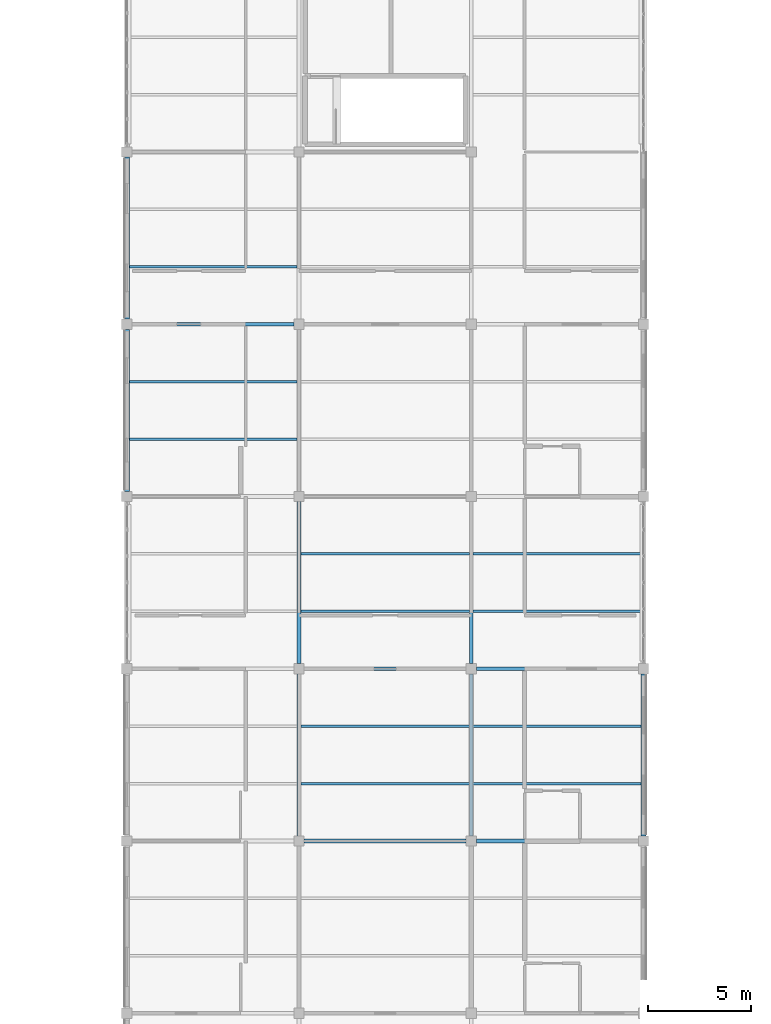
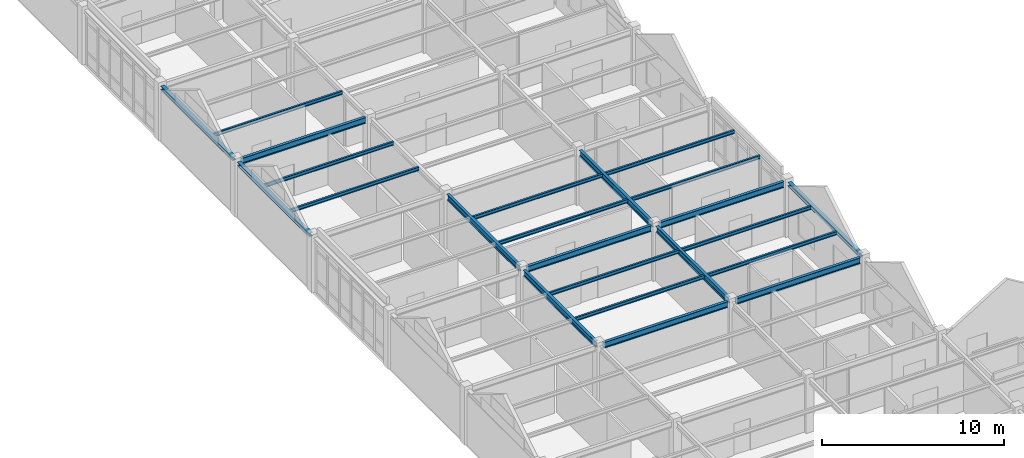
# One storey, part 5 of 45: 23 beams.
"""IFC4 building model written with IfcOpenShell, lengths in metres."""

from ifc_helpers import new_model, si_unit, direction, frame, origin, origin_2d, place, context, subcontext, project, spatial, i_section, extrude, material, material_profile, profile_set, type_object, element, save


model = new_model("IFC4")

# Units and contexts
model_context = context("Model", 3, precision=1e-05, world=origin(), true_north=direction((0.0, 1.0)))
body_context = subcontext(model_context, "Body", "Model", "MODEL_VIEW")
ifc_project = project(units=[si_unit("LENGTHUNIT", "METRE"), si_unit("AREAUNIT", "SQUARE_METRE"), si_unit("VOLUMEUNIT", "CUBIC_METRE"), si_unit("PLANEANGLEUNIT", "RADIAN"), si_unit("MASSUNIT", "GRAM", prefix="KILO")], contexts=[model_context])

# Site, building, storey
site_placement = place(None, origin())
site = spatial("IfcSite", under=ifc_project, at=site_placement, CompositionType="ELEMENT")
building_placement = place(site_placement, origin())
building = spatial("IfcBuilding", under=site, at=building_placement, Name="Bramfleet General Hospital", CompositionType="ELEMENT")
storey_placement = place(building_placement, frame((0.0, 0.0, 30.300048828125)))
storey = spatial("IfcBuildingStorey", under=building, at=storey_placement, Name="L07", CompositionType="ELEMENT", Elevation=30.300048828125)

# Beams
ifc_material = material(Name="Steel S355", Category="steel")
ifc_material_profile_1 = material_profile(ifc_material, i_section(OverallWidth=0.239990234375, OverallDepth=0.22998046875, WebThickness=0.007568359375, FlangeThickness=0.011962890625, FilletRadius=0.02099609375, at=origin_2d()), Name="HEA 240")
ifc_profile_set_1 = profile_set([ifc_material_profile_1], Name="Steel S355")
beam_type_1 = type_object("IfcBeamType", Name="BM-HEA240", PredefinedType="SPANDREL", material=ifc_profile_set_1)
beam_1_placement = place(storey_placement, frame((92.39990234375, 50.64990234375, 3.544921875), z_axis=(0.0, 1.0, 0.0), x_axis=(-1.0, 0.0, 0.0)))
element("IfcBeam", 1, at=beam_1_placement, inside=storey, type_object=beam_type_1, Name="L07 Grid Beam Y 11-06", PredefinedType="SPANDREL", context=body_context, shape_type="SweptSolid", body=[
    extrude(i_section(OverallWidth=0.239990234375, OverallDepth=0.22998046875, WebThickness=0.007568359375, FlangeThickness=0.011962890625, FilletRadius=0.02099609375, at=origin_2d()), origin(), (0.0, 0.0, 1.0), 7.900146484375),
])
for number, where, z_axis, x_axis, name in (
    (2, (92.39990234375, 59.050048828125, 3.544921875), (0.0, 1.0, 0.0), (-1.0, 0.0, 0.0), "L07 Grid Beam Y 11-07"),
    (3, (117.60009765625, 33.85009765625, 3.544921875), (0.0, 1.0, 0.0), (-1.0, 0.0, 0.0), "L07 Grid Beam Y 14-04"),
):
    element("IfcBeam", number, at=place(storey_placement, frame(where, z_axis=z_axis, x_axis=x_axis)), inside=storey, type_object=beam_type_1, Name=name, PredefinedType="SPANDREL", context=body_context, shape_type="SweptSolid", body=[
        extrude(i_section(OverallWidth=0.239990234375, OverallDepth=0.22998046875, WebThickness=0.007568359375, FlangeThickness=0.011962890625, FilletRadius=0.02099609375, at=origin_2d()), origin(), (0.0, 0.0, 1.0), 7.89990234375),
    ])
ifc_material_profile_2 = material_profile(ifc_material, i_section(OverallWidth=0.1201171875, OverallDepth=0.239990234375, WebThickness=0.006103515625, FlangeThickness=0.009765625, FilletRadius=0.014892578125, at=origin_2d()), Name="IPE 240")
ifc_profile_set_2 = profile_set([ifc_material_profile_2], Name="Steel S355")
beam_type_2 = type_object("IfcBeamType", Name="BM-IPE240", PredefinedType="JOIST", material=ifc_profile_set_2)
for number, where, z_axis, x_axis, name in (
    (4, (92.52001953125, 53.199951171875, 3.5400390625), (1.0, 0.0, 0.0), (0.0, 1.0, 0.0), "L07 Secondary Joist 11-06-1"),
    (5, (92.52001953125, 56.0, 3.5400390625), (1.0, 0.0, 0.0), (0.0, 1.0, 0.0), "L07 Secondary Joist 11-06-2"),
    (6, (92.52001953125, 61.60009765625, 3.5400390625), (1.0, 0.0, 0.0), (0.0, 1.0, 0.0), "L07 Secondary Joist 11-07-1"),
):
    element("IfcBeam", number, at=place(storey_placement, frame(where, z_axis=z_axis, x_axis=x_axis)), inside=storey, type_object=beam_type_2, Name=name, PredefinedType="JOIST", context=body_context, shape_type="SweptSolid", body=[
        extrude(i_section(OverallWidth=0.1201171875, OverallDepth=0.239990234375, WebThickness=0.006103515625, FlangeThickness=0.009765625, FilletRadius=0.014892578125, at=origin_2d()), origin(), (0.0, 0.0, 1.0), 8.18994140625),
    ])
for number, where, z_axis, x_axis, name in (
    (7, (100.889892578125, 36.39990234375, 3.5400390625), (1.0, 0.0, 0.0), (0.0, 1.0, 0.0), "L07 Secondary Joist 12-04-1"),
    (8, (100.889892578125, 39.199951171875, 3.5400390625), (1.0, 0.0, 0.0), (0.0, 1.0, 0.0), "L07 Secondary Joist 12-04-2"),
    (9, (100.889892578125, 44.800048828125, 3.5400390625), (1.0, 0.0, 0.0), (0.0, 1.0, 0.0), "L07 Secondary Joist 12-05-1"),
    (10, (100.889892578125, 47.60009765625, 3.5400390625), (1.0, 0.0, 0.0), (0.0, 1.0, 0.0), "L07 Secondary Joist 12-05-2"),
):
    element("IfcBeam", number, at=place(storey_placement, frame(where, z_axis=z_axis, x_axis=x_axis)), inside=storey, type_object=beam_type_2, Name=name, PredefinedType="JOIST", context=body_context, shape_type="SweptSolid", body=[
        extrude(i_section(OverallWidth=0.1201171875, OverallDepth=0.239990234375, WebThickness=0.006103515625, FlangeThickness=0.009765625, FilletRadius=0.014892578125, at=origin_2d()), origin(), (0.0, 0.0, 1.0), 8.22021484375),
    ])
for number, where, z_axis, x_axis, name in (
    (11, (109.2900390625, 36.39990234375, 3.5400390625), (1.0, 0.0, 0.0), (0.0, 1.0, 0.0), "L07 Secondary Joist 13-04-1"),
    (12, (109.2900390625, 39.199951171875, 3.5400390625), (1.0, 0.0, 0.0), (0.0, 1.0, 0.0), "L07 Secondary Joist 13-04-2"),
    (13, (109.2900390625, 44.800048828125, 3.5400390625), (1.0, 0.0, 0.0), (0.0, 1.0, 0.0), "L07 Secondary Joist 13-05-1"),
    (14, (109.2900390625, 47.60009765625, 3.5400390625), (1.0, 0.0, 0.0), (0.0, 1.0, 0.0), "L07 Secondary Joist 13-05-2"),
):
    element("IfcBeam", number, at=place(storey_placement, frame(where, z_axis=z_axis, x_axis=x_axis)), inside=storey, type_object=beam_type_2, Name=name, PredefinedType="JOIST", context=body_context, shape_type="SweptSolid", body=[
        extrude(i_section(OverallWidth=0.1201171875, OverallDepth=0.239990234375, WebThickness=0.006103515625, FlangeThickness=0.009765625, FilletRadius=0.014892578125, at=origin_2d()), origin(), (0.0, 0.0, 1.0), 8.18994140625),
    ])
ifc_material_profile_3 = material_profile(ifc_material, i_section(OverallWidth=0.179931640625, OverallDepth=0.39990234375, WebThickness=0.008544921875, FlangeThickness=0.013427734375, FilletRadius=0.02099609375, at=origin_2d()), Name="IPE 400")
ifc_profile_set_3 = profile_set([ifc_material_profile_3], Name="Steel S355")
beam_type_3 = type_object("IfcBeamType", Name="BM-IPE400", PredefinedType="BEAM", material=ifc_profile_set_3)
beam_2_placement = place(storey_placement, frame((92.64990234375, 58.800048828125, 3.4599609375), z_axis=(1.0, 0.0, 0.0), x_axis=(0.0, 1.0, 0.0)))
element("IfcBeam", 15, at=beam_2_placement, inside=storey, type_object=beam_type_3, Name="L07 Grid Beam X 11-07", PredefinedType="BEAM", context=body_context, shape_type="SweptSolid", body=[
    extrude(i_section(OverallWidth=0.179931640625, OverallDepth=0.39990234375, WebThickness=0.008544921875, FlangeThickness=0.013427734375, FilletRadius=0.02099609375, at=origin_2d()), origin(), (0.0, 0.0, 1.0), 7.900146484375),
])
for number, where, z_axis, x_axis, name in (
    (16, (101.050048828125, 33.60009765625, 3.4599609375), (1.0, 0.0, 0.0), (0.0, 1.0, 0.0), "L07 Grid Beam X 12-04"),
    (17, (101.050048828125, 42.0, 3.4599609375), (1.0, 0.0, 0.0), (0.0, 1.0, 0.0), "L07 Grid Beam X 12-05"),
):
    element("IfcBeam", number, at=place(storey_placement, frame(where, z_axis=z_axis, x_axis=x_axis)), inside=storey, type_object=beam_type_3, Name=name, PredefinedType="BEAM", context=body_context, shape_type="SweptSolid", body=[
        extrude(i_section(OverallWidth=0.179931640625, OverallDepth=0.39990234375, WebThickness=0.008544921875, FlangeThickness=0.013427734375, FilletRadius=0.02099609375, at=origin_2d()), origin(), (0.0, 0.0, 1.0), 7.89990234375),
    ])
for number, where, z_axis, x_axis, name in (
    (18, (109.449951171875, 33.60009765625, 3.4599609375), (1.0, 0.0, 0.0), (0.0, 1.0, 0.0), "L07 Grid Beam X 13-04"),
    (19, (109.449951171875, 42.0, 3.4599609375), (1.0, 0.0, 0.0), (0.0, 1.0, 0.0), "L07 Grid Beam X 13-05"),
):
    element("IfcBeam", number, at=place(storey_placement, frame(where, z_axis=z_axis, x_axis=x_axis)), inside=storey, type_object=beam_type_3, Name=name, PredefinedType="BEAM", context=body_context, shape_type="SweptSolid", body=[
        extrude(i_section(OverallWidth=0.179931640625, OverallDepth=0.39990234375, WebThickness=0.008544921875, FlangeThickness=0.013427734375, FilletRadius=0.02099609375, at=origin_2d()), origin(), (0.0, 0.0, 1.0), 7.900146484375),
    ])
for number, where, z_axis, x_axis, name in (
    (20, (100.800048828125, 33.85009765625, 3.4599609375), (0.0, 1.0, 0.0), (-1.0, 0.0, 0.0), "L07 Grid Beam Y 12-04"),
    (21, (100.800048828125, 42.25, 3.4599609375), (0.0, 1.0, 0.0), (-1.0, 0.0, 0.0), "L07 Grid Beam Y 12-05"),
    (22, (109.199951171875, 33.85009765625, 3.4599609375), (0.0, 1.0, 0.0), (-1.0, 0.0, 0.0), "L07 Grid Beam Y 13-04"),
    (23, (109.199951171875, 42.25, 3.4599609375), (0.0, 1.0, 0.0), (-1.0, 0.0, 0.0), "L07 Grid Beam Y 13-05"),
):
    element("IfcBeam", number, at=place(storey_placement, frame(where, z_axis=z_axis, x_axis=x_axis)), inside=storey, type_object=beam_type_3, Name=name, PredefinedType="BEAM", context=body_context, shape_type="SweptSolid", body=[
        extrude(i_section(OverallWidth=0.179931640625, OverallDepth=0.39990234375, WebThickness=0.008544921875, FlangeThickness=0.013427734375, FilletRadius=0.02099609375, at=origin_2d()), origin(), (0.0, 0.0, 1.0), 7.89990234375),
    ])

save(model, "model.ifc")
